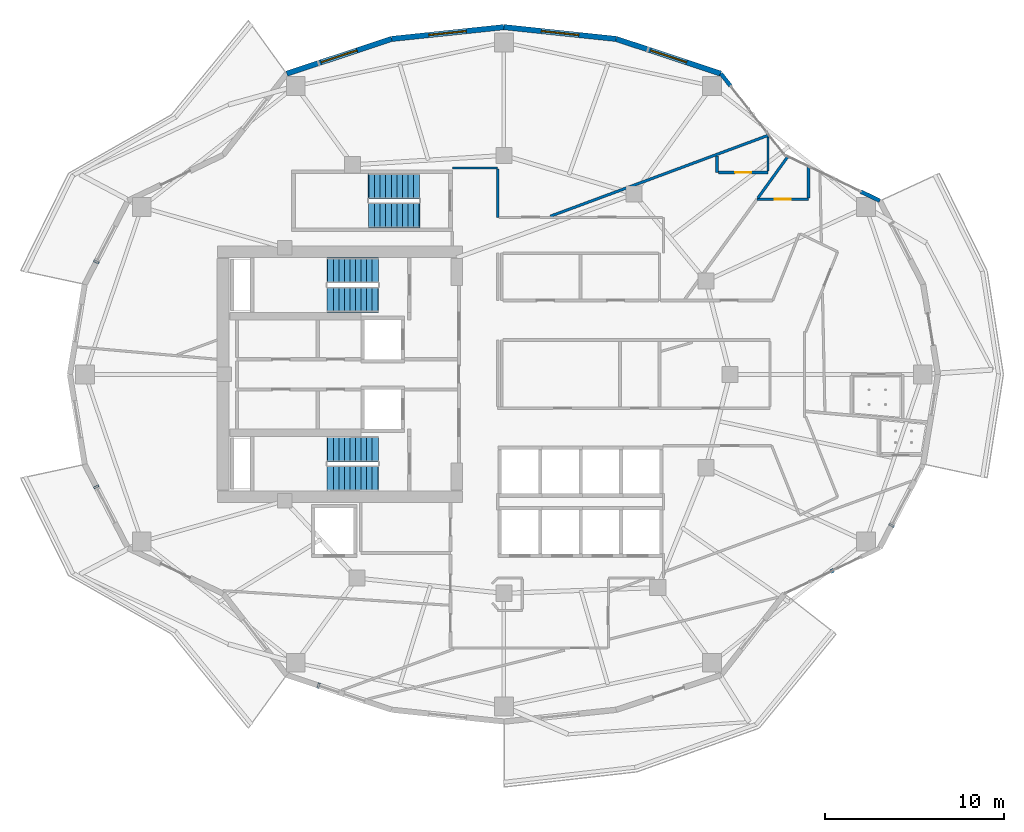
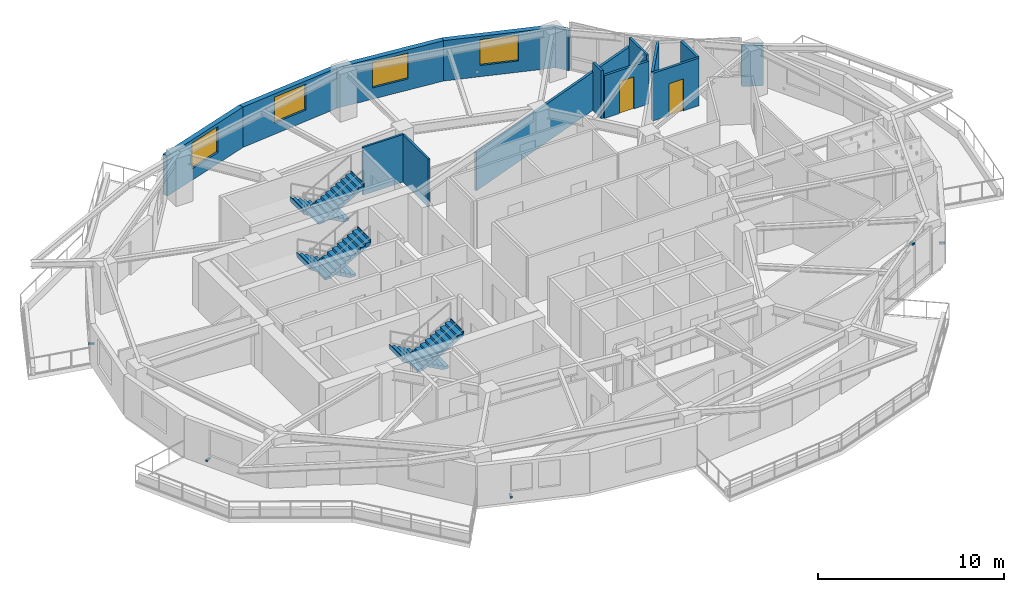
# One storey, part 10 of 15: 15 walls, 6 stair flights, 5 discrete accessories, 4 windows, 2 doors, 6 openings, 3 elements without a shape of their own.
"""IFC4 building model written with IfcOpenShell, lengths in metres."""

from ifc_helpers import new_model, si_unit, direction, frame, frame_2d, origin, origin_2d, place, context, subcontext, project, spatial, polyline, rectangle, outline, extrude, material, layer, layer_set, type_object, element, fill, aggregate, save


model = new_model("IFC4")

# Units and contexts
model_context = context("Model", 3, precision=1e-05, world=origin(), true_north=direction((0.0, 1.0)))
body_context = subcontext(model_context, "Body", "Model", "MODEL_VIEW")
ifc_project = project(units=[si_unit("LENGTHUNIT", "METRE"), si_unit("AREAUNIT", "SQUARE_METRE"), si_unit("VOLUMEUNIT", "CUBIC_METRE"), si_unit("PLANEANGLEUNIT", "RADIAN"), si_unit("MASSUNIT", "GRAM", prefix="KILO")], contexts=[model_context])

# Site, building, storey
site_placement = place(None, origin())
site = spatial("IfcSite", under=ifc_project, at=site_placement, CompositionType="ELEMENT")
building_placement = place(site_placement, origin())
building = spatial("IfcBuilding", under=site, at=building_placement, Name="Kolvaren Gate Tower and Convention Centre", CompositionType="ELEMENT")
storey_placement = place(building_placement, frame((0.0, 0.0, 129.10009765625)))
storey = spatial("IfcBuildingStorey", under=building, at=storey_placement, Name="L32", CompositionType="ELEMENT", Elevation=129.10009765625)

# Walls
ifc_material_1 = material(Name="Fire-Rated Acoustic Gypsum Stud Partition", Category="gypsum")
ifc_layer_1 = layer(ifc_material_1, 0.1201171875)
ifc_layer_set_1 = layer_set([ifc_layer_1], Name="Fire-Rated Acoustic Gypsum Stud Partition")
wall_type_1 = type_object("IfcWallType", Name="ARCH-WL-PART-120", PredefinedType="PARTITIONING", material=ifc_layer_set_1)
wall_1_placement = place(storey_placement, frame((27.25, 38.5, 0.0), z_axis=(0.0, 0.0, 1.0), x_axis=(1.0, 0.0, 0.0)))
element("IfcWall", 1, at=wall_1_placement, inside=storey, type_object=wall_type_1, Name="Interior Partition WL-L32-INT-029", PredefinedType="PARTITIONING", context=body_context, shape_type="SweptSolid", body=[
    extrude(rectangle(XDim=2.530029296875, YDim=0.1201171875, at=frame_2d((1.26513671875, 0.0))), origin(), (0.0, 0.0, 1.0), 3.1298828125),
])
wall_2_placement = place(storey_placement, frame((29.780029296875, 35.75, 0.0), z_axis=(0.0, 0.0, 1.0), x_axis=(0.0, 1.0, 0.0)))
element("IfcWall", 2, at=wall_2_placement, inside=storey, type_object=wall_type_1, Name="Interior Partition WL-L32-INT-033", PredefinedType="PARTITIONING", context=body_context, shape_type="SweptSolid", body=[
    extrude(rectangle(XDim=2.68798828125, YDim=0.1201171875, at=frame_2d((1.343994140625, 0.0))), origin(), (0.0, 0.0, 1.0), 3.1298828125),
])
wall_3_placement = place(storey_placement, frame((44.85009765625, 38.326904296875, 0.0), z_axis=(0.0, 0.0, 1.0), x_axis=(0.0, 1.0, 0.0)))
element("IfcWall", 3, at=wall_3_placement, inside=storey, type_object=wall_type_1, Name="Interior Partition WL-L32-INT-071", PredefinedType="PARTITIONING", context=body_context, shape_type="SweptSolid", body=[
    extrude(rectangle(XDim=1.908203125, YDim=0.1201171875, at=frame_2d((0.9541015625, 0.0))), origin(), (0.0, 0.0, 1.0), 3.1298828125),
])
ifc_material_2 = material(Name="Bogota Sabana Bush-Hammered Sandstone Cladding", Category="masonry")
ifc_layer_2 = layer(ifc_material_2, 0.219970703125)
ifc_layer_set_2 = layer_set([ifc_layer_2], Name="Bogota Sabana Bush-Hammered Sandstone Cladding")
wall_type_2 = type_object("IfcWallType", Name="ARCH-WL-PIER-220", PredefinedType="SOLIDWALL", material=ifc_layer_set_2)
wall_4_placement = place(storey_placement, frame((50.0068359375, 37.186767578125, 0.0), z_axis=(0.0, 0.0, 1.0), x_axis=(0.90138115854, -0.433026566193, 0.0)))
element("IfcWall", 4, at=wall_4_placement, inside=storey, type_object=wall_type_2, Name="Tower L32 Unitised Curtain Wall CW-HTL-UNIT Bay 02 Right Column Pier Wrap", PredefinedType="SOLIDWALL", context=body_context, shape_type="SweptSolid", body=[
    extrude(rectangle(XDim=1.181640625, YDim=0.219970703125, at=frame_2d((0.5908203125, 0.0))), origin(), (0.0, 0.0, 1.0), 2.65283203125),
])
wall_5_placement = place(storey_placement, frame((42.21875, 43.757568359375, 0.0), z_axis=(0.0, 0.0, 1.0), x_axis=(0.61650363284, -0.787352062736, 0.0)))
element("IfcWall", 5, at=wall_5_placement, inside=storey, type_object=wall_type_2, Name="Tower L32 Unitised Curtain Wall CW-HTL-UNIT Bay 03 Left Column Pier Wrap", PredefinedType="SOLIDWALL", context=body_context, shape_type="SweptSolid", body=[
    extrude(rectangle(XDim=0.8759765625, YDim=0.219970703125, at=frame_2d((0.43798828125, 0.0))), origin(), (0.0, 0.0, 1.0), 2.65283203125),
])

# Wall, opening, window
ifc_material_3 = material(Name="Piedmont Cream Honed Limestone Cladding", Category="masonry")
ifc_layer_3 = layer(ifc_material_3, 0.300048828125)
ifc_layer_set_3 = layer_set([ifc_layer_3], Name="Piedmont Cream Honed Limestone Cladding")
wall_type_3 = type_object("IfcWallType", Name="ARCH-WL-STONE-300", PredefinedType="SOLIDWALL", material=ifc_layer_set_3)
wall_6_placement = place(storey_placement, frame((36.38525390625, 45.690673828125, 0.0), z_axis=(0.0, 0.0, 1.0), x_axis=(0.949238009374, -0.314558741032, 0.0)))
wall_6 = element("IfcWall", 6, at=wall_6_placement, inside=storey, type_object=wall_type_3, Name="Tower L32 Honed Stone Spandrel Wall EW-04", PredefinedType="SOLIDWALL", context=body_context, shape_type="SweptSolid", body=[
    extrude(rectangle(XDim=6.1455078125, YDim=0.300048828125, at=frame_2d((3.07275390625, 0.0))), origin(), (0.0, 0.0, 1.0), 2.65283203125),
])
opening_1_placement = place(wall_6_placement, frame((2.02294921875, 0.0, 0.739990234375)))
opening_1 = element("IfcOpeningElement", 7, at=opening_1_placement, cuts=wall_6, Name="Opening W-02", PredefinedType="OPENING", context=body_context, shape_type="SweptSolid", body=[
    extrude(rectangle(XDim=2.10009765625, YDim=1.699951171875, at=frame_2d((1.050048828125, 0.85009765625))), frame((0.0, 0.159912109375, 0.0), z_axis=(0.0, -1.0, 0.0), x_axis=(1.0, 0.0, 0.0)), (0.0, 0.0, 1.0), 0.320068359375),
])
ifc_material_4 = material(Name="Low-E Triple Insulated Glazing Unit 44 mm", Category="glass")
window_type = type_object("IfcWindowType", Name="ARCH-WN-HTL-2100", PartitioningType="SINGLE_PANEL", PredefinedType="WINDOW", material=ifc_material_4)
window_1_placement = place(opening_1_placement, origin())
window_1 = element("IfcWindow", 8, at=window_1_placement, inside=storey, type_object=window_type, Name="Tower L32 Punched Stone Facade Window W-04", OverallHeight=1.699951171875, OverallWidth=2.10009765625, PartitioningType="SINGLE_PANEL", PredefinedType="WINDOW", context=body_context, shape_type="SweptSolid", body=[
    extrude(rectangle(XDim=2.10009765625, YDim=1.699951171875, at=frame_2d((1.050048828125, 0.85009765625))), frame((0.0, 0.030029296875, 0.0), z_axis=(0.0, -1.0, 0.0), x_axis=(1.0, 0.0, 0.0)), (0.0, 0.0, 1.0), 0.06005859375),
])
fill(opening_1, window_1)

wall_7_placement = place(storey_placement, frame((30.125, 46.35009765625, 0.0), z_axis=(0.0, 0.0, 1.0), x_axis=(0.994498012394, -0.104755445421, 0.0)))
wall_7 = element("IfcWall", 9, at=wall_7_placement, inside=storey, type_object=wall_type_3, Name="Tower L32 Honed Stone Spandrel Wall EW-05", PredefinedType="SOLIDWALL", context=body_context, shape_type="SweptSolid", body=[
    extrude(rectangle(XDim=6.294921875, YDim=0.300048828125, at=frame_2d((3.1474609375, 0.0))), origin(), (0.0, 0.0, 1.0), 2.65283203125),
])
opening_2_placement = place(wall_7_placement, frame((2.096923828125, 0.0, 0.739990234375)))
opening_2 = element("IfcOpeningElement", 10, at=opening_2_placement, cuts=wall_7, Name="Opening W-02", PredefinedType="OPENING", context=body_context, shape_type="SweptSolid", body=[
    extrude(rectangle(XDim=2.10009765625, YDim=1.699951171875, at=frame_2d((1.050048828125, 0.85009765625))), frame((0.0, 0.159912109375, 0.0), z_axis=(0.0, -1.0, 0.0), x_axis=(1.0, 0.0, 0.0)), (0.0, 0.0, 1.0), 0.320068359375),
])
window_2_placement = place(opening_2_placement, origin())
window_2 = element("IfcWindow", 11, at=window_2_placement, inside=storey, type_object=window_type, Name="Tower L32 Punched Stone Facade Window W-05", OverallHeight=1.699951171875, OverallWidth=2.10009765625, PartitioningType="SINGLE_PANEL", PredefinedType="WINDOW", context=body_context, shape_type="SweptSolid", body=[
    extrude(rectangle(XDim=2.10009765625, YDim=1.699951171875, at=frame_2d((1.050048828125, 0.85009765625))), frame((0.0, 0.030029296875, 0.0), z_axis=(0.0, -1.0, 0.0), x_axis=(1.0, 0.0, 0.0)), (0.0, 0.0, 1.0), 0.06005859375),
])
fill(opening_2, window_2)

wall_8_placement = place(storey_placement, frame((23.86474609375, 45.690673828125, 0.0), z_axis=(0.0, 0.0, 1.0), x_axis=(0.994498012394, 0.104755445421, 0.0)))
wall_8 = element("IfcWall", 12, at=wall_8_placement, inside=storey, type_object=wall_type_3, Name="Tower L32 Honed Stone Spandrel Wall EW-06", PredefinedType="SOLIDWALL", context=body_context, shape_type="SweptSolid", body=[
    extrude(rectangle(XDim=6.294921875, YDim=0.300048828125, at=frame_2d((3.1474609375, 0.0))), origin(), (0.0, 0.0, 1.0), 2.65283203125),
])
opening_3_placement = place(wall_8_placement, frame((2.096923828125, 0.0, 0.739990234375)))
opening_3 = element("IfcOpeningElement", 13, at=opening_3_placement, cuts=wall_8, Name="Opening W-02", PredefinedType="OPENING", context=body_context, shape_type="SweptSolid", body=[
    extrude(rectangle(XDim=2.10009765625, YDim=1.699951171875, at=frame_2d((1.050048828125, 0.85009765625))), frame((0.0, 0.159912109375, 0.0), z_axis=(0.0, -1.0, 0.0), x_axis=(1.0, 0.0, 0.0)), (0.0, 0.0, 1.0), 0.320068359375),
])
window_3_placement = place(opening_3_placement, origin())
window_3 = element("IfcWindow", 14, at=window_3_placement, inside=storey, type_object=window_type, Name="Tower L32 Punched Stone Facade Window W-06", OverallHeight=1.699951171875, OverallWidth=2.10009765625, PartitioningType="SINGLE_PANEL", PredefinedType="WINDOW", context=body_context, shape_type="SweptSolid", body=[
    extrude(rectangle(XDim=2.10009765625, YDim=1.699951171875, at=frame_2d((1.050048828125, 0.85009765625))), frame((0.0, 0.030029296875, 0.0), z_axis=(0.0, -1.0, 0.0), x_axis=(1.0, 0.0, 0.0)), (0.0, 0.0, 1.0), 0.06005859375),
])
fill(opening_3, window_3)

wall_9_placement = place(storey_placement, frame((18.03125, 43.757568359375, 0.0), z_axis=(0.0, 0.0, 1.0), x_axis=(0.949238009374, 0.314558741032, 0.0)))
wall_9 = element("IfcWall", 15, at=wall_9_placement, inside=storey, type_object=wall_type_3, Name="Tower L32 Honed Stone Spandrel Wall EW-07", PredefinedType="SOLIDWALL", context=body_context, shape_type="SweptSolid", body=[
    extrude(rectangle(XDim=6.1455078125, YDim=0.300048828125, at=frame_2d((3.07275390625, 0.0))), origin(), (0.0, 0.0, 1.0), 2.65283203125),
])
opening_4_placement = place(wall_9_placement, frame((2.02294921875, 0.0, 0.739990234375)))
opening_4 = element("IfcOpeningElement", 16, at=opening_4_placement, cuts=wall_9, Name="Opening W-02", PredefinedType="OPENING", context=body_context, shape_type="SweptSolid", body=[
    extrude(rectangle(XDim=2.10009765625, YDim=1.699951171875, at=frame_2d((1.050048828125, 0.85009765625))), frame((0.0, 0.159912109375, 0.0), z_axis=(0.0, -1.0, 0.0), x_axis=(1.0, 0.0, 0.0)), (0.0, 0.0, 1.0), 0.320068359375),
])
window_4_placement = place(opening_4_placement, origin())
window_4 = element("IfcWindow", 17, at=window_4_placement, inside=storey, type_object=window_type, Name="Tower L32 Punched Stone Facade Window W-07", OverallHeight=1.699951171875, OverallWidth=2.10009765625, PartitioningType="SINGLE_PANEL", PredefinedType="WINDOW", context=body_context, shape_type="SweptSolid", body=[
    extrude(rectangle(XDim=2.10009765625, YDim=1.699951171875, at=frame_2d((1.050048828125, 0.85009765625))), frame((0.0, 0.030029296875, 0.0), z_axis=(0.0, -1.0, 0.0), x_axis=(1.0, 0.0, 0.0)), (0.0, 0.0, 1.0), 0.06005859375),
])
fill(opening_4, window_4)

# Wall, opening, door
ifc_material_5 = material(Name="Moisture-Resistant Cement-Board Acoustic Partition", Category="gypsum")
ifc_layer_4 = layer(ifc_material_5, 0.14990234375)
ifc_layer_set_4 = layer_set([ifc_layer_4], Name="Moisture-Resistant Cement-Board Acoustic Partition")
wall_type_4 = type_object("IfcWallType", Name="ARCH-WL-WET-150", PredefinedType="PARTITIONING", material=ifc_layer_set_4)
wall_10_placement = place(storey_placement, frame((44.22509765625, 36.75, 0.0), z_axis=(0.0, 0.0, 1.0), x_axis=(1.0, 0.0, 0.0)))
wall_10 = element("IfcWall", 18, at=wall_10_placement, inside=storey, type_object=wall_type_4, Name="Interior Partition WL-L32-INT-064", PredefinedType="PARTITIONING", context=body_context, shape_type="SweptSolid", body=[
    extrude(rectangle(XDim=2.875, YDim=0.14990234375, at=frame_2d((1.4375, 0.0))), origin(), (0.0, 0.0, 1.0), 3.1298828125),
])
opening_5_placement = place(wall_10_placement, frame((0.987548828125, 0.0, 0.0)))
opening_5 = element("IfcOpeningElement", 19, at=opening_5_placement, cuts=wall_10, Name="Opening DW-01", PredefinedType="OPENING", context=body_context, shape_type="SweptSolid", body=[
    extrude(rectangle(XDim=0.89990234375, YDim=2.10009765625, at=frame_2d((0.449951171875, 1.050048828125))), frame((0.0, 0.0849609375, 0.0), z_axis=(0.0, -1.0, 0.0), x_axis=(1.0, 0.0, 0.0)), (0.0, 0.0, 1.0), 0.169921875),
])
ifc_material_6 = material(Name="FSC Andean Oak Engineered Veneer Door Leaf", Category="wood")
door_type = type_object("IfcDoorType", Name="ARCH-DR-WC-900", OperationType="SINGLE_SWING_RIGHT", PredefinedType="DOOR", material=ifc_material_6)
door_1_placement = place(opening_5_placement, origin())
door_1 = element("IfcDoor", 20, at=door_1_placement, inside=storey, type_object=door_type, Name="En-suite Bathroom (HTL-L32-08) Door", OperationType="SINGLE_SWING_LEFT", OverallHeight=2.10009765625, OverallWidth=0.89990234375, PredefinedType="DOOR", context=body_context, shape_type="SweptSolid", body=[
    extrude(rectangle(XDim=0.89990234375, YDim=2.10009765625, at=frame_2d((0.449951171875, 1.050048828125))), frame((0.0, 0.02490234375, 0.0), z_axis=(0.0, -1.0, 0.0), x_axis=(1.0, 0.0, 0.0)), (0.0, 0.0, 1.0), 0.050048828125),
])
fill(opening_5, door_1)

# Walls
wall_11_placement = place(storey_placement, frame((47.10009765625, 36.826904296875, 0.0), z_axis=(0.0, 0.0, 1.0), x_axis=(0.0, 1.0, 0.0)))
element("IfcWall", 21, at=wall_11_placement, inside=storey, type_object=wall_type_4, Name="Interior Partition WL-L32-INT-065", PredefinedType="PARTITIONING", context=body_context, shape_type="SweptSolid", body=[
    extrude(rectangle(XDim=1.73095703125, YDim=0.14990234375, at=frame_2d((0.865478515625, 0.0))), origin(), (0.0, 0.0, 1.0), 3.1298828125),
])
wall_12_placement = place(storey_placement, frame((44.280517578125, 36.826904296875, 0.0), z_axis=(0.0, 0.0, 1.0), x_axis=(0.585301255108, 0.81081591053, 0.0)))
element("IfcWall", 22, at=wall_12_placement, inside=storey, type_object=wall_type_4, Name="Interior Partition WL-L32-INT-066 (2)", PredefinedType="PARTITIONING", context=body_context, shape_type="SweptSolid", body=[
    extrude(rectangle(XDim=2.82568359375, YDim=0.14990234375, at=frame_2d((1.412841796875, 0.0))), origin(), (0.0, 0.0, 1.0), 3.1298828125),
])
wall_13_placement = place(storey_placement, frame((32.718017578125, 35.81201171875, 0.0), z_axis=(0.0, 0.0, 1.0), x_axis=(0.937443879907, 0.348136427317, 0.0)))
element("IfcWall", 23, at=wall_13_placement, inside=storey, type_object=wall_type_4, Name="Interior Partition WL-L32-INT-068", PredefinedType="PARTITIONING", context=body_context, shape_type="SweptSolid", body=[
    extrude(rectangle(XDim=12.96875, YDim=0.14990234375, at=frame_2d((6.484375, 0.0))), origin(), (0.0, 0.0, 1.0), 2.5048828125),
])
wall_14_placement = place(storey_placement, frame((42.0, 38.25, 0.0), z_axis=(0.0, 0.0, 1.0), x_axis=(0.0, 1.0, 0.0)))
element("IfcWall", 24, at=wall_14_placement, inside=storey, type_object=wall_type_4, Name="Interior Partition WL-L32-INT-069", PredefinedType="PARTITIONING", context=body_context, shape_type="SweptSolid", body=[
    extrude(rectangle(XDim=0.9267578125, YDim=0.14990234375, at=frame_2d((0.46337890625, 0.0))), origin(), (0.0, 0.0, 1.0), 3.1298828125),
])

# Wall, opening, door
wall_15_placement = place(storey_placement, frame((42.076904296875, 38.25, 0.0), z_axis=(0.0, 0.0, 1.0), x_axis=(1.0, 0.0, 0.0)))
wall_15 = element("IfcWall", 25, at=wall_15_placement, inside=storey, type_object=wall_type_4, Name="Interior Partition WL-L32-INT-070", PredefinedType="PARTITIONING", context=body_context, shape_type="SweptSolid", body=[
    extrude(rectangle(XDim=2.773193359375, YDim=0.14990234375, at=frame_2d((1.38671875, 0.0))), origin(), (0.0, 0.0, 1.0), 2.81201171875),
])
opening_6_placement = place(wall_15_placement, frame((0.9365234375, 0.0, 0.0)))
opening_6 = element("IfcOpeningElement", 26, at=opening_6_placement, cuts=wall_15, Name="Opening DW-01", PredefinedType="OPENING", context=body_context, shape_type="SweptSolid", body=[
    extrude(rectangle(XDim=0.89990234375, YDim=2.10009765625, at=frame_2d((0.449951171875, 1.050048828125))), frame((0.0, 0.0849609375, 0.0), z_axis=(0.0, -1.0, 0.0), x_axis=(1.0, 0.0, 0.0)), (0.0, 0.0, 1.0), 0.169921875),
])
door_2_placement = place(opening_6_placement, origin())
door_2 = element("IfcDoor", 27, at=door_2_placement, inside=storey, type_object=door_type, Name="En-suite Bathroom (HTL-L32-09) Door", OperationType="SINGLE_SWING_RIGHT", OverallHeight=2.10009765625, OverallWidth=0.89990234375, PredefinedType="DOOR", context=body_context, shape_type="SweptSolid", body=[
    extrude(rectangle(XDim=0.89990234375, YDim=2.10009765625, at=frame_2d((0.449951171875, 1.050048828125))), frame((0.0, 0.02490234375, 0.0), z_axis=(0.0, -1.0, 0.0), x_axis=(1.0, 0.0, 0.0)), (0.0, 0.0, 1.0), 0.050048828125),
])
fill(opening_6, door_2)

# Stair, stair flights
ifc_material_7 = material(Name="Concrete C50/60", Category="concrete")
stair_type = type_object("IfcStairType", Name="STR-STAIR-CORE", PredefinedType="HALF_TURN_STAIR", material=ifc_material_7)
stair_1_placement = place(storey_placement, origin())
stair_1 = element("IfcStair", 28, at=stair_1_placement, inside=storey, type_object=stair_type, Name="L32 Tower North Exit Stair ST-T1", PredefinedType="HALF_TURN_STAIR")
stair_flight_type = type_object("IfcStairFlightType", Name="STR-SFL-1420", PredefinedType="STRAIGHT", material=ifc_material_7)
stair_flight_1_placement = place(storey_placement, frame((23.10009765625, 32.7900390625, 0.0), z_axis=(0.0, 0.0, 1.0), x_axis=(-1.0, 0.0, 0.0)))
stair_flight_1 = element("IfcStairFlight", 29, at=stair_flight_1_placement, type_object=stair_flight_type, Name="ST-T1 flight 1", NumberOfRisers=10, NumberOfTreads=9, PredefinedType="STRAIGHT", RiserHeight=0.17, TreadLength=0.31, context=body_context, shape_type="SweptSolid", body=[
    extrude(outline(polyline([(-0.034912109375, 0.0), (-0.034912109375, 0.169921875), (0.31005859375, 0.169921875), (0.31005859375, 0.340087890625), (0.6201171875, 0.340087890625), (0.6201171875, 0.510009765625), (0.929931640625, 0.510009765625), (0.929931640625, 0.679931640625), (1.239990234375, 0.679931640625), (1.239990234375, 0.85009765625), (1.550048828125, 0.85009765625), (1.550048828125, 1.02001953125), (1.860107421875, 1.02001953125), (1.860107421875, 1.18994140625), (2.169921875, 1.18994140625), (2.169921875, 1.360107421875), (2.47998046875, 1.360107421875), (2.47998046875, 1.530029296875), (2.7900390625, 1.530029296875), (2.7900390625, 1.699951171875), (2.8349609375, 1.699951171875), (2.8349609375, 1.5400390625), (2.7900390625, 1.359130859375), (0.311767578125, 0.0), (-0.034912109375, 0.0)])), frame((0.0, 0.7099609375, 0.0), z_axis=(0.0, -1.0, 0.0), x_axis=(1.0, 0.0, 0.0)), (0.0, 0.0, 1.0), 1.419921875),
])
stair_flight_2_placement = place(storey_placement, frame((20.31005859375, 31.169921875, 1.699951171875), z_axis=(0.0, 0.0, 1.0), x_axis=(1.0, 0.0, 0.0)))
stair_flight_2 = element("IfcStairFlight", 30, at=stair_flight_2_placement, type_object=stair_flight_type, Name="ST-T1 flight 2", NumberOfRisers=10, NumberOfTreads=9, PredefinedType="STRAIGHT", RiserHeight=0.17, TreadLength=0.31, context=body_context, shape_type="SweptSolid", body=[
    extrude(outline(polyline([(-0.034912109375, 0.0), (-0.034912109375, 0.169921875), (0.31005859375, 0.169921875), (0.31005859375, 0.340087890625), (0.6201171875, 0.340087890625), (0.6201171875, 0.510009765625), (0.929931640625, 0.510009765625), (0.929931640625, 0.679931640625), (1.239990234375, 0.679931640625), (1.239990234375, 0.85009765625), (1.550048828125, 0.85009765625), (1.550048828125, 1.02001953125), (1.860107421875, 1.02001953125), (1.860107421875, 1.18994140625), (2.169921875, 1.18994140625), (2.169921875, 1.360107421875), (2.47998046875, 1.360107421875), (2.47998046875, 1.530029296875), (2.7900390625, 1.530029296875), (2.7900390625, 1.699951171875), (2.8349609375, 1.699951171875), (2.8349609375, 1.5400390625), (2.7900390625, 1.359130859375), (0.311767578125, 0.0), (-0.034912109375, 0.0)])), frame((0.0, 0.7099609375, 0.0), z_axis=(0.0, -1.0, 0.0), x_axis=(1.0, 0.0, 0.0)), (0.0, 0.0, 1.0), 1.419921875),
])
aggregate(stair_1, [stair_flight_1, stair_flight_2])

stair_2_placement = place(storey_placement, origin())
stair_2 = element("IfcStair", 31, at=stair_2_placement, inside=storey, type_object=stair_type, Name="L32 Tower South Exit Stair ST-T2", PredefinedType="HALF_TURN_STAIR")
stair_flight_3_placement = place(storey_placement, frame((23.10009765625, 22.830078125, 0.0), z_axis=(0.0, 0.0, 1.0), x_axis=(-1.0, 0.0, 0.0)))
stair_flight_3 = element("IfcStairFlight", 32, at=stair_flight_3_placement, type_object=stair_flight_type, Name="ST-T2 flight 1", NumberOfRisers=10, NumberOfTreads=9, PredefinedType="STRAIGHT", RiserHeight=0.17, TreadLength=0.31, context=body_context, shape_type="SweptSolid", body=[
    extrude(outline(polyline([(-0.034912109375, 0.0), (-0.034912109375, 0.169921875), (0.31005859375, 0.169921875), (0.31005859375, 0.340087890625), (0.6201171875, 0.340087890625), (0.6201171875, 0.510009765625), (0.929931640625, 0.510009765625), (0.929931640625, 0.679931640625), (1.239990234375, 0.679931640625), (1.239990234375, 0.85009765625), (1.550048828125, 0.85009765625), (1.550048828125, 1.02001953125), (1.860107421875, 1.02001953125), (1.860107421875, 1.18994140625), (2.169921875, 1.18994140625), (2.169921875, 1.360107421875), (2.47998046875, 1.360107421875), (2.47998046875, 1.530029296875), (2.7900390625, 1.530029296875), (2.7900390625, 1.699951171875), (2.8349609375, 1.699951171875), (2.8349609375, 1.5400390625), (2.7900390625, 1.359130859375), (0.311767578125, 0.0), (-0.034912109375, 0.0)])), frame((0.0, 0.7099609375, 0.0), z_axis=(0.0, -1.0, 0.0), x_axis=(1.0, 0.0, 0.0)), (0.0, 0.0, 1.0), 1.419921875),
])
stair_flight_4_placement = place(storey_placement, frame((20.31005859375, 21.2099609375, 1.699951171875), z_axis=(0.0, 0.0, 1.0), x_axis=(1.0, 0.0, 0.0)))
stair_flight_4 = element("IfcStairFlight", 33, at=stair_flight_4_placement, type_object=stair_flight_type, Name="ST-T2 flight 2", NumberOfRisers=10, NumberOfTreads=9, PredefinedType="STRAIGHT", RiserHeight=0.17, TreadLength=0.31, context=body_context, shape_type="SweptSolid", body=[
    extrude(outline(polyline([(-0.034912109375, 0.0), (-0.034912109375, 0.169921875), (0.31005859375, 0.169921875), (0.31005859375, 0.340087890625), (0.6201171875, 0.340087890625), (0.6201171875, 0.510009765625), (0.929931640625, 0.510009765625), (0.929931640625, 0.679931640625), (1.239990234375, 0.679931640625), (1.239990234375, 0.85009765625), (1.550048828125, 0.85009765625), (1.550048828125, 1.02001953125), (1.860107421875, 1.02001953125), (1.860107421875, 1.18994140625), (2.169921875, 1.18994140625), (2.169921875, 1.360107421875), (2.47998046875, 1.360107421875), (2.47998046875, 1.530029296875), (2.7900390625, 1.530029296875), (2.7900390625, 1.699951171875), (2.8349609375, 1.699951171875), (2.8349609375, 1.5400390625), (2.7900390625, 1.359130859375), (0.311767578125, 0.0), (-0.034912109375, 0.0)])), frame((0.0, 0.7099609375, 0.0), z_axis=(0.0, -1.0, 0.0), x_axis=(1.0, 0.0, 0.0)), (0.0, 0.0, 1.0), 1.419921875),
])
aggregate(stair_2, [stair_flight_3, stair_flight_4])

stair_3_placement = place(storey_placement, origin())
stair_3 = element("IfcStair", 34, at=stair_3_placement, inside=storey, type_object=stair_type, Name="L32 Tower Mid-Zone Exit Stair ST-T3", PredefinedType="HALF_TURN_STAIR")
stair_flight_5_placement = place(storey_placement, frame((25.39990234375, 37.489990234375, 0.0), z_axis=(0.0, 0.0, 1.0), x_axis=(-1.0, 0.0, 0.0)))
stair_flight_5 = element("IfcStairFlight", 35, at=stair_flight_5_placement, type_object=stair_flight_type, Name="ST-T3 flight 1", NumberOfRisers=10, NumberOfTreads=9, PredefinedType="STRAIGHT", RiserHeight=0.17, TreadLength=0.31, context=body_context, shape_type="SweptSolid", body=[
    extrude(outline(polyline([(-0.034912109375, 0.0), (-0.034912109375, 0.169921875), (0.31005859375, 0.169921875), (0.31005859375, 0.340087890625), (0.6201171875, 0.340087890625), (0.6201171875, 0.510009765625), (0.929931640625, 0.510009765625), (0.929931640625, 0.679931640625), (1.239990234375, 0.679931640625), (1.239990234375, 0.85009765625), (1.550048828125, 0.85009765625), (1.550048828125, 1.02001953125), (1.860107421875, 1.02001953125), (1.860107421875, 1.18994140625), (2.169921875, 1.18994140625), (2.169921875, 1.360107421875), (2.47998046875, 1.360107421875), (2.47998046875, 1.530029296875), (2.7900390625, 1.530029296875), (2.7900390625, 1.699951171875), (2.8349609375, 1.699951171875), (2.8349609375, 1.5400390625), (2.7900390625, 1.359130859375), (0.311767578125, 0.0), (-0.034912109375, 0.0)])), frame((0.0, 0.7099609375, 0.0), z_axis=(0.0, -1.0, 0.0), x_axis=(1.0, 0.0, 0.0)), (0.0, 0.0, 1.0), 1.419921875),
])
stair_flight_6_placement = place(storey_placement, frame((22.610107421875, 35.8701171875, 1.699951171875), z_axis=(0.0, 0.0, 1.0), x_axis=(1.0, 0.0, 0.0)))
stair_flight_6 = element("IfcStairFlight", 36, at=stair_flight_6_placement, type_object=stair_flight_type, Name="ST-T3 flight 2", NumberOfRisers=10, NumberOfTreads=9, PredefinedType="STRAIGHT", RiserHeight=0.17, TreadLength=0.31, context=body_context, shape_type="SweptSolid", body=[
    extrude(outline(polyline([(-0.034912109375, 0.0), (-0.034912109375, 0.169921875), (0.31005859375, 0.169921875), (0.31005859375, 0.340087890625), (0.6201171875, 0.340087890625), (0.6201171875, 0.510009765625), (0.929931640625, 0.510009765625), (0.929931640625, 0.679931640625), (1.239990234375, 0.679931640625), (1.239990234375, 0.85009765625), (1.550048828125, 0.85009765625), (1.550048828125, 1.02001953125), (1.860107421875, 1.02001953125), (1.860107421875, 1.18994140625), (2.169921875, 1.18994140625), (2.169921875, 1.360107421875), (2.47998046875, 1.360107421875), (2.47998046875, 1.530029296875), (2.7900390625, 1.530029296875), (2.7900390625, 1.699951171875), (2.8349609375, 1.699951171875), (2.8349609375, 1.5400390625), (2.7900390625, 1.359130859375), (0.311767578125, 0.0), (-0.034912109375, 0.0)])), frame((0.0, 0.7099609375, 0.0), z_axis=(0.0, -1.0, 0.0), x_axis=(1.0, 0.0, 0.0)), (0.0, 0.0, 1.0), 1.419921875),
])
aggregate(stair_3, [stair_flight_5, stair_flight_6])

# Discrete accessories
ifc_material_8 = material(Name="Anodized Architectural Aluminium Alloy 6063-T6", Category="aluminium")
discrete_accessory_type = type_object("IfcDiscreteAccessoryType", Name="ARCH-ACC-BRACKET-120", PredefinedType="BRACKET", material=ifc_material_8)
for number, where, z_axis, x_axis, name in (
    (37, (7.413818359375, 33.267333984375, 0.289794921875), (0.0, 0.0, 1.0), (0.459781360558, 0.888032150591, 0.0), "Ceramic Fin Wall Anchor Bracket FBK-L32-10"),
    (38, (7.413818359375, 20.732666015625, 0.289794921875), (0.0, 0.0, 1.0), (0.459781360558, -0.888032150591, 0.0), "Ceramic Fin Wall Anchor Bracket FBK-L32-13"),
    (39, (19.799560546875, 9.656494140625, 0.289794921875), (0.0, 0.0, 1.0), (0.949240081615, -0.314552487599, 0.0), "Ceramic Fin Wall Anchor Bracket FBK-L32-16"),
):
    element("IfcDiscreteAccessory", number, at=place(storey_placement, frame(where, z_axis=z_axis, x_axis=x_axis)), inside=storey, type_object=discrete_accessory_type, Name=name, PredefinedType="BRACKET", context=body_context, shape_type="SweptSolid", body=[
        extrude(rectangle(XDim=0.1201171875, YDim=0.320068359375, at=origin_2d()), origin(), (0.0, 0.0, 1.0), 0.1201171875),
    ])
discrete_accessory_1_placement = place(storey_placement, frame((48.42041015625, 16.051025390625, 2.949951171875), z_axis=(0.0, 0.0, 1.0), x_axis=(0.901362925045, 0.433064518696, 0.0)))
element("IfcDiscreteAccessory", 40, at=discrete_accessory_1_placement, inside=storey, type_object=discrete_accessory_type, Name="Solar Screen Spandrel Anchor Bracket BK-L32-21", PredefinedType="BRACKET", context=body_context, shape_type="SweptSolid", body=[
    extrude(rectangle(XDim=0.179931640625, YDim=0.219970703125, at=origin_2d()), origin(), (0.0, 0.0, 1.0), 0.1201171875),
])
discrete_accessory_2_placement = place(storey_placement, frame((51.72412109375, 18.584228515625, 0.289794921875), z_axis=(0.0, 0.0, 1.0), x_axis=(0.459781360558, 0.888032150591, 0.0)))
element("IfcDiscreteAccessory", 41, at=discrete_accessory_2_placement, inside=storey, type_object=discrete_accessory_type, Name="Ceramic Fin Wall Anchor Bracket FBK-L32-22", PredefinedType="BRACKET", context=body_context, shape_type="SweptSolid", body=[
    extrude(rectangle(XDim=0.1201171875, YDim=0.320068359375, at=origin_2d()), origin(), (0.0, 0.0, 1.0), 0.1201171875),
])

save(model, "model.ifc")
